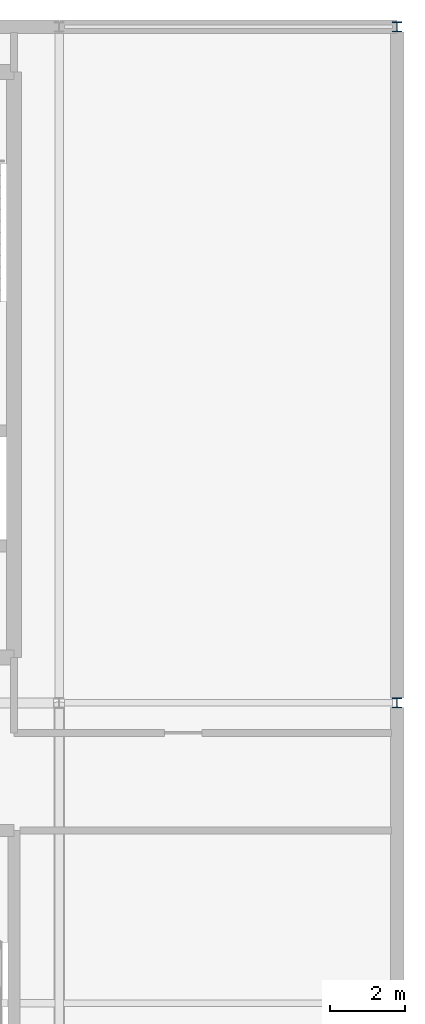
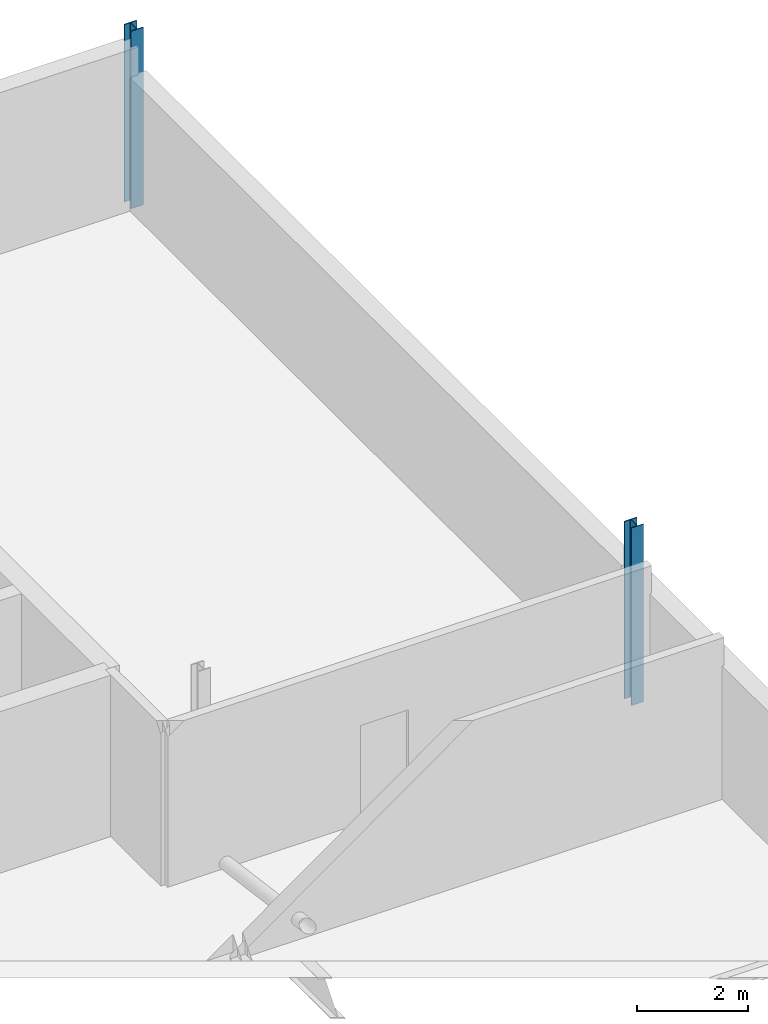
# One storey, part 11 of 30: 2 columns.
"""IFC4 building model written with IfcOpenShell, lengths in metres."""

from ifc_helpers import new_model, si_unit, direction, frame, origin, origin_2d, place, context, subcontext, project, spatial, i_section, extrude, material, material_profile, profile_set, type_object, element, save


model = new_model("IFC4")

# Units and contexts
model_context = context("Model", 3, precision=1e-05, world=origin(), true_north=direction((0.0, 1.0)))
body_context = subcontext(model_context, "Body", "Model", "MODEL_VIEW")
ifc_project = project(units=[si_unit("LENGTHUNIT", "METRE"), si_unit("AREAUNIT", "SQUARE_METRE"), si_unit("VOLUMEUNIT", "CUBIC_METRE"), si_unit("PLANEANGLEUNIT", "RADIAN"), si_unit("MASSUNIT", "GRAM", prefix="KILO")], contexts=[model_context])

# Site, building, storey
site_placement = place(None, origin())
site = spatial("IfcSite", under=ifc_project, at=site_placement, CompositionType="ELEMENT")
building_placement = place(site_placement, origin())
building = spatial("IfcBuilding", under=site, at=building_placement, Name="Kisiwana Market Hall", CompositionType="ELEMENT")
storey_placement = place(building_placement, frame((0.0, 0.0, 54.0)))
storey = spatial("IfcBuildingStorey", under=building, at=storey_placement, Name="L12", CompositionType="ELEMENT", Elevation=54.0)

# Columns
ifc_material = material(Name="Steel S355", Category="steel")
ifc_material_profile = material_profile(ifc_material, i_section(OverallWidth=0.25634765625, OverallDepth=0.26025390625, WebThickness=0.01025390625, FlangeThickness=0.017333984375, FilletRadius=0.0126953125, at=origin_2d()), Name="UC 254x254x89")
ifc_profile_set = profile_set([ifc_material_profile], Name="Steel S355")
column_type = type_object("IfcColumnType", Name="COL-STL-UC089", PredefinedType="COLUMN", material=ifc_profile_set)
for number, where, z_axis, x_axis, name in (
    (1, (198.0, 84.0, 0.0), (0.0, 0.0, 1.0), (1.0, 0.0, 0.0), "Column L/23 (L12) C-1396"),
    (2, (198.0, 102.0, 0.0), (0.0, 0.0, 1.0), (1.0, 0.0, 0.0), "Column N/23 (L12) C-1397"),
):
    element("IfcColumn", number, at=place(storey_placement, frame(where, z_axis=z_axis, x_axis=x_axis)), inside=storey, type_object=column_type, Name=name, PredefinedType="COLUMN", context=body_context, shape_type="SweptSolid", body=[
        extrude(i_section(OverallWidth=0.25634765625, OverallDepth=0.26025390625, WebThickness=0.01025390625, FlangeThickness=0.017333984375, FilletRadius=0.0126953125, at=origin_2d()), origin(), (0.0, 0.0, 1.0), 3.89990234375),
    ])

save(model, "model.ifc")
